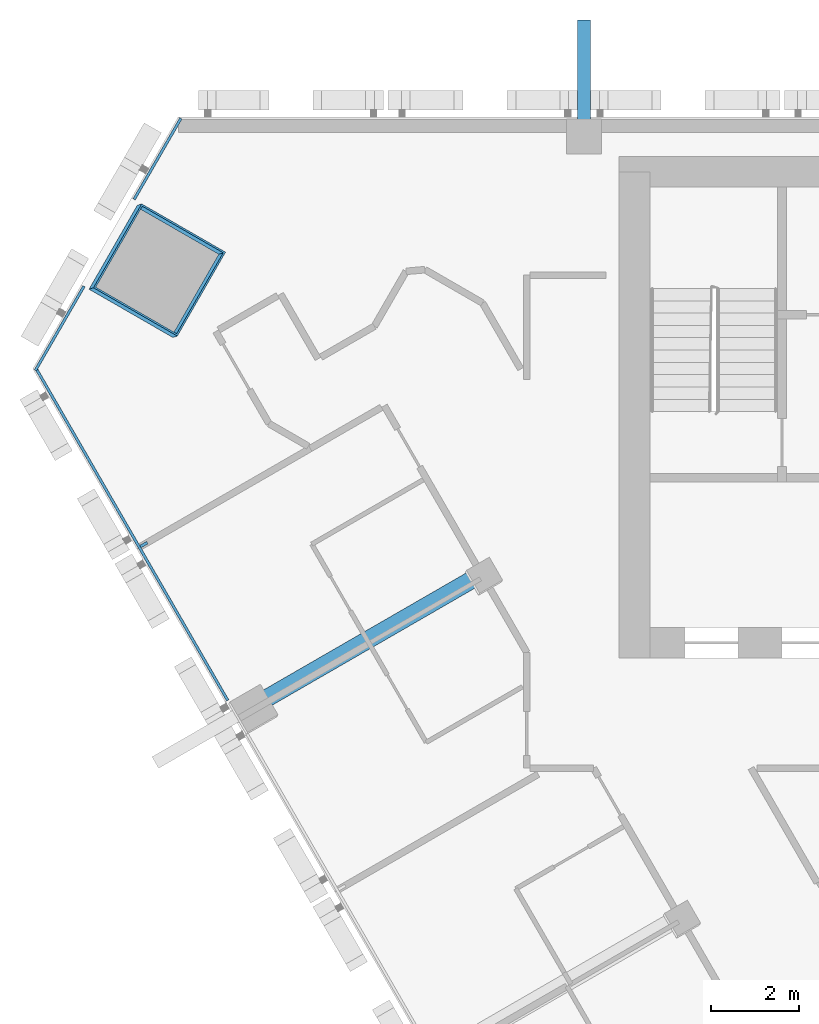
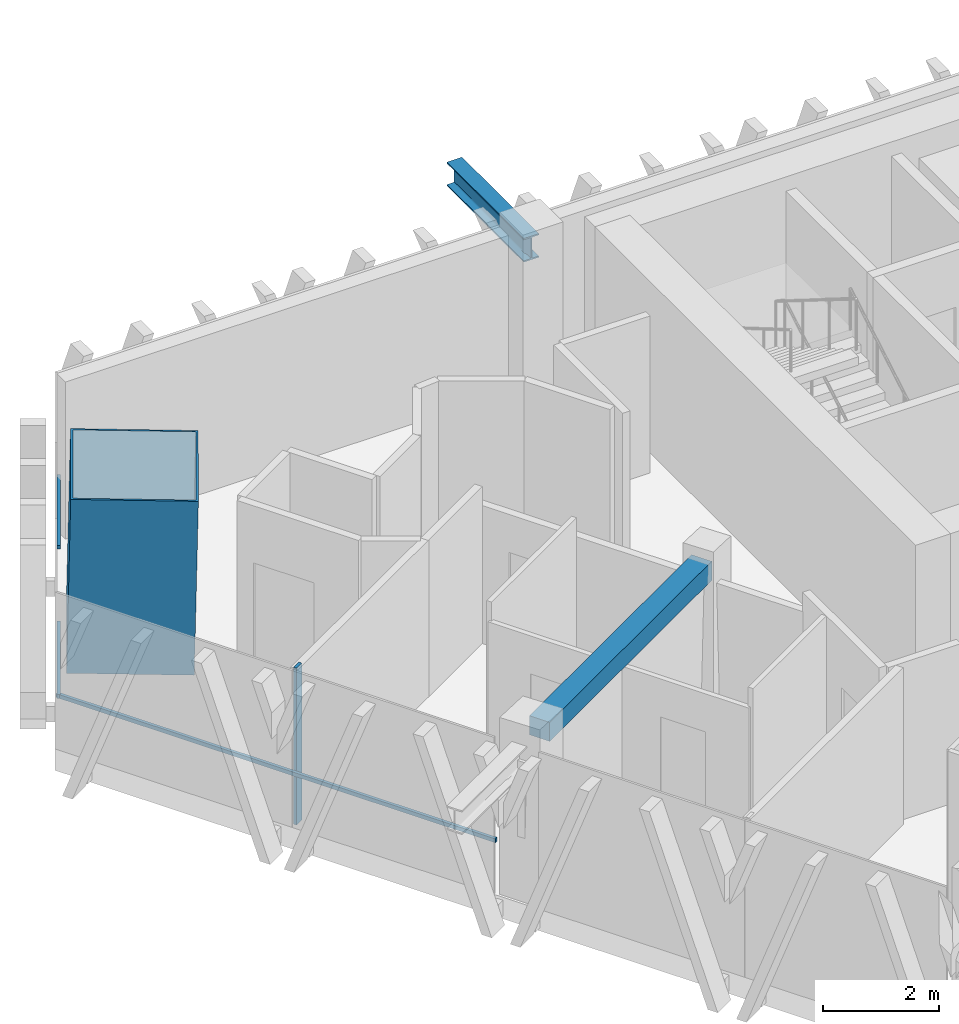
# One storey, part 5 of 15: 6 members, 1 beam, 2 elements without a shape of their own.
"""IFC4 building model written with IfcOpenShell, lengths in metres."""

from ifc_helpers import new_model, si_unit, direction, frame, origin, origin_2d, place, context, subcontext, project, spatial, rectangle, hollow_rectangle, i_section, extrude, material, layer, layer_set, material_profile, profile_set, type_object, element, aggregate, save


model = new_model("IFC4")

# Units and contexts
model_context = context("Model", 3, precision=1e-05, world=origin(), true_north=direction((0.0, 1.0)))
body_context = subcontext(model_context, "Body", "Model", "MODEL_VIEW")
ifc_project = project(units=[si_unit("LENGTHUNIT", "METRE"), si_unit("AREAUNIT", "SQUARE_METRE"), si_unit("VOLUMEUNIT", "CUBIC_METRE"), si_unit("PLANEANGLEUNIT", "RADIAN"), si_unit("MASSUNIT", "GRAM", prefix="KILO")], contexts=[model_context])

# Site, building, storey
site_placement = place(None, origin())
site = spatial("IfcSite", under=ifc_project, at=site_placement, CompositionType="ELEMENT")
building_placement = place(site_placement, origin())
building = spatial("IfcBuilding", under=site, at=building_placement, Name="Altiplano Prism Tower", CompositionType="ELEMENT")
storey_placement = place(building_placement, frame((0.0, 0.0, 185.39990234375)))
storey = spatial("IfcBuildingStorey", under=building, at=storey_placement, Name="L48", CompositionType="ELEMENT", Elevation=185.39990234375)

# Member
ifc_material_1 = material(Name="Steel S355", Category="steel")
ifc_material_profile_1 = material_profile(ifc_material_1, i_section(OverallWidth=0.300048828125, OverallDepth=0.5, WebThickness=0.014404296875, FlangeThickness=0.028076171875, FilletRadius=0.027099609375, at=origin_2d()), Name="Brace bracket HEB 500")
ifc_profile_set_1 = profile_set([ifc_material_profile_1], Name="Steel S355")
member_type_1 = type_object("IfcMemberType", Name="Brace bracket HEB 500", PredefinedType="STRUT", material=ifc_profile_set_1)
member_1_placement = place(storey_placement, frame((71.5, 104.550048828125, 2.9501953125), z_axis=(0.0, 1.0, 0.0), x_axis=(-1.0, 0.0, 0.0)))
element("IfcMember", 1, at=member_1_placement, inside=storey, type_object=member_type_1, Name="Brace bracket 0.189", PredefinedType="STRUT", context=body_context, shape_type="SweptSolid", body=[
    extrude(i_section(OverallWidth=0.300048828125, OverallDepth=0.5, WebThickness=0.014404296875, FlangeThickness=0.028076171875, FilletRadius=0.027099609375, at=origin_2d()), origin(), (0.0, 0.0, 1.0), 2.64990234375),
])

# Curtain wall, member
ifc_material_2 = material(Name="Aluminium and glass", Category="aluminium")
ifc_layer = layer(ifc_material_2, 0.280029296875)
ifc_layer_set = layer_set([ifc_layer], Name="Aluminium and glass")
curtain_wall_type = type_object("IfcCurtainWallType", Name="CW1 typical co-living unitised curtain wall", PredefinedType="NOTDEFINED", material=ifc_layer_set)
curtain_wall_1_placement = place(storey_placement, origin())
curtain_wall_1 = element("IfcCurtainWall", 2, at=curtain_wall_1_placement, inside=storey, type_object=curtain_wall_type, Name="CW1 curtain wall south-west face L48", PredefinedType="NOTDEFINED")
ifc_material_3 = material(Name="Aluminium", Category="aluminium")
ifc_material_profile_2 = material_profile(ifc_material_3, rectangle(XDim=0.179931640625, YDim=0.06494140625, at=origin_2d()), Name="CW1 mullion 65 x 180")
ifc_profile_set_2 = profile_set([ifc_material_profile_2], Name="Aluminium")
member_type_2 = type_object("IfcMemberType", Name="CW1 mullion 65 x 180", PredefinedType="MULLION", material=ifc_profile_set_2)
member_2_placement = place(storey_placement, frame((61.49755859375, 95.279541015625, 0.0), z_axis=(0.0, 0.0, 1.0), x_axis=(0.866025407999, 0.499999992699, 0.0)))
member_2 = element("IfcMember", 3, at=member_2_placement, type_object=member_type_2, Name="CW1 mullion", PredefinedType="MULLION", context=body_context, shape_type="SweptSolid", body=[
    extrude(rectangle(XDim=0.179931640625, YDim=0.06494140625, at=origin_2d()), origin(), (0.0, 0.0, 1.0), 3.300048828125),
])

# Curtain wall, members
curtain_wall_2_placement = place(storey_placement, origin())
curtain_wall_2 = element("IfcCurtainWall", 4, at=curtain_wall_2_placement, inside=storey, type_object=curtain_wall_type, Name="CW1 curtain wall north-west chamfer L48", PredefinedType="NOTDEFINED")
ifc_material_profile_3 = material_profile(ifc_material_3, rectangle(XDim=0.06005859375, YDim=0.080078125, at=origin_2d()), Name="CW1 transom 80 x 60")
ifc_profile_set_3 = profile_set([ifc_material_profile_3], Name="Aluminium")
member_type_3 = type_object("IfcMemberType", Name="CW1 transom 80 x 60", PredefinedType="USERDEFINED", material=ifc_profile_set_3)
member_3_placement = place(storey_placement, frame((62.33984375, 104.965087890625, 1.10009765625), z_axis=(-0.499954329186, -0.866051770236, 0.0), x_axis=(0.866051770236, -0.499954329186, 0.0)))
member_3 = element("IfcMember", 5, at=member_3_placement, type_object=member_type_3, Name="CW1 transom", ObjectType="TRANSOM", PredefinedType="USERDEFINED", context=body_context, shape_type="SweptSolid", body=[
    extrude(rectangle(XDim=0.06005859375, YDim=0.080078125, at=origin_2d()), origin(), (0.0, 0.0, 1.0), 2.126708984375),
])
member_4_placement = place(storey_placement, frame((60.13671875, 101.148681640625, 1.10009765625), z_axis=(-0.500089568931, -0.865973684962, 0.0), x_axis=(0.865973684962, -0.500089568931, 0.0)))
member_4 = element("IfcMember", 6, at=member_4_placement, type_object=member_type_3, Name="CW1 transom", ObjectType="TRANSOM", PredefinedType="USERDEFINED", context=body_context, shape_type="SweptSolid", body=[
    extrude(rectangle(XDim=0.06005859375, YDim=0.080078125, at=origin_2d()), origin(), (0.0, 0.0, 1.0), 2.20654296875),
])
aggregate(curtain_wall_2, [member_3, member_4])

# Member
member_5_placement = place(storey_placement, frame((59.033203125, 99.3076171875, 1.10009765625), z_axis=(0.500005339912, -0.866022320763, 0.0), x_axis=(0.866022320763, 0.500005339912, 0.0)))
member_5 = element("IfcMember", 7, at=member_5_placement, type_object=member_type_3, Name="CW1 transom", ObjectType="TRANSOM", PredefinedType="USERDEFINED", context=body_context, shape_type="SweptSolid", body=[
    extrude(rectangle(XDim=0.06005859375, YDim=0.080078125, at=origin_2d()), origin(), (0.0, 0.0, 1.0), 8.74072265625),
])

aggregate(curtain_wall_1, [member_2, member_5])

ifc_material_4 = material(Name="Steel S460", Category="steel")
ifc_material_profile_4 = material_profile(ifc_material_4, hollow_rectangle(XDim=2.199951171875, YDim=2.199951171875, WallThickness=0.0400390625, at=origin_2d()), Name="Mega column tube 2200")
ifc_profile_set_4 = profile_set([ifc_material_profile_4], Name="Steel S460")
member_type_4 = type_object("IfcMemberType", Name="Mega column tube 2200", PredefinedType="POST", material=ifc_profile_set_4)
member_6_placement = place(storey_placement, frame((61.751953125, 101.486328125, 0.0), z_axis=(0.028334066552, 0.009286524205, 0.999555371723), x_axis=(-0.866555685867, 0.498682266759, 0.019930883368)))
element("IfcMember", 8, at=member_6_placement, inside=storey, type_object=member_type_4, Name="Mega column tube M0 L48", PredefinedType="POST", context=body_context, shape_type="SweptSolid", body=[
    extrude(hollow_rectangle(XDim=2.199951171875, YDim=2.199951171875, WallThickness=0.0400390625, at=origin_2d()), origin(), (0.0, 0.0, 1.0), 3.601806640625),
])

# Beam
ifc_material_5 = material(Name="Concrete C60/75", Category="concrete")
ifc_material_profile_5 = material_profile(ifc_material_5, rectangle(XDim=0.39990234375, YDim=0.39990234375, at=origin_2d()), Name="Tie beam 400x400")
ifc_profile_set_5 = profile_set([ifc_material_profile_5], Name="Concrete C60/75")
beam_type = type_object("IfcBeamType", Name="Tie beam 400x400", PredefinedType="BEAM", material=ifc_profile_set_5)
beam_placement = place(storey_placement, frame((69.13623046875, 94.5859375, 3.10009765625), z_axis=(-0.866030670444, -0.499990877767, 0.0), x_axis=(0.499990877767, -0.866030670444, 0.0)))
element("IfcBeam", 9, at=beam_placement, inside=storey, type_object=beam_type, Name="Tie beam I11 L49", PredefinedType="BEAM", context=body_context, shape_type="SweptSolid", body=[
    extrude(rectangle(XDim=0.39990234375, YDim=0.39990234375, at=origin_2d()), origin(), (0.0, 0.0, 1.0), 5.58984375),
])

save(model, "model.ifc")
